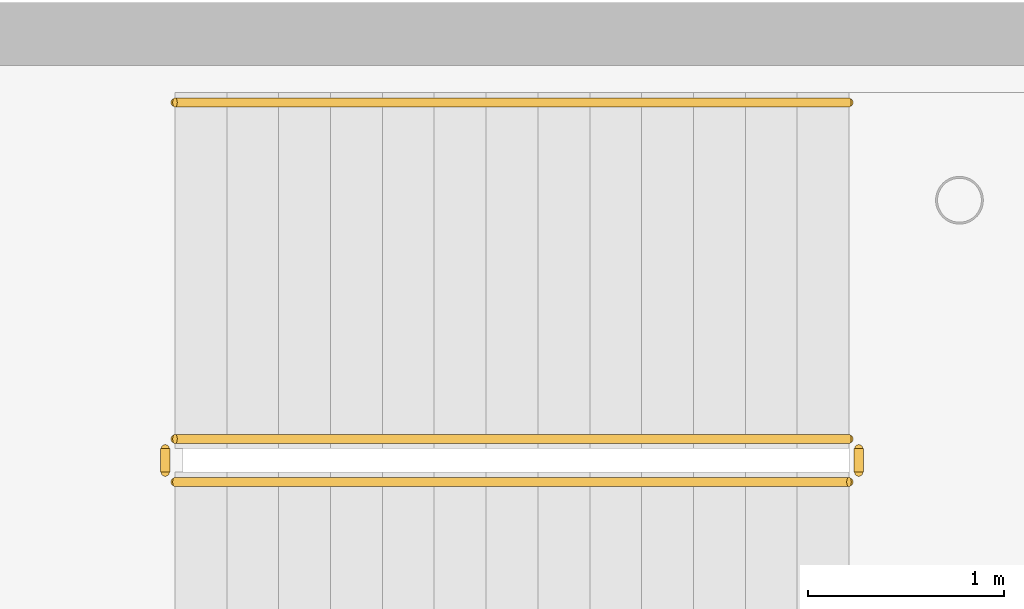
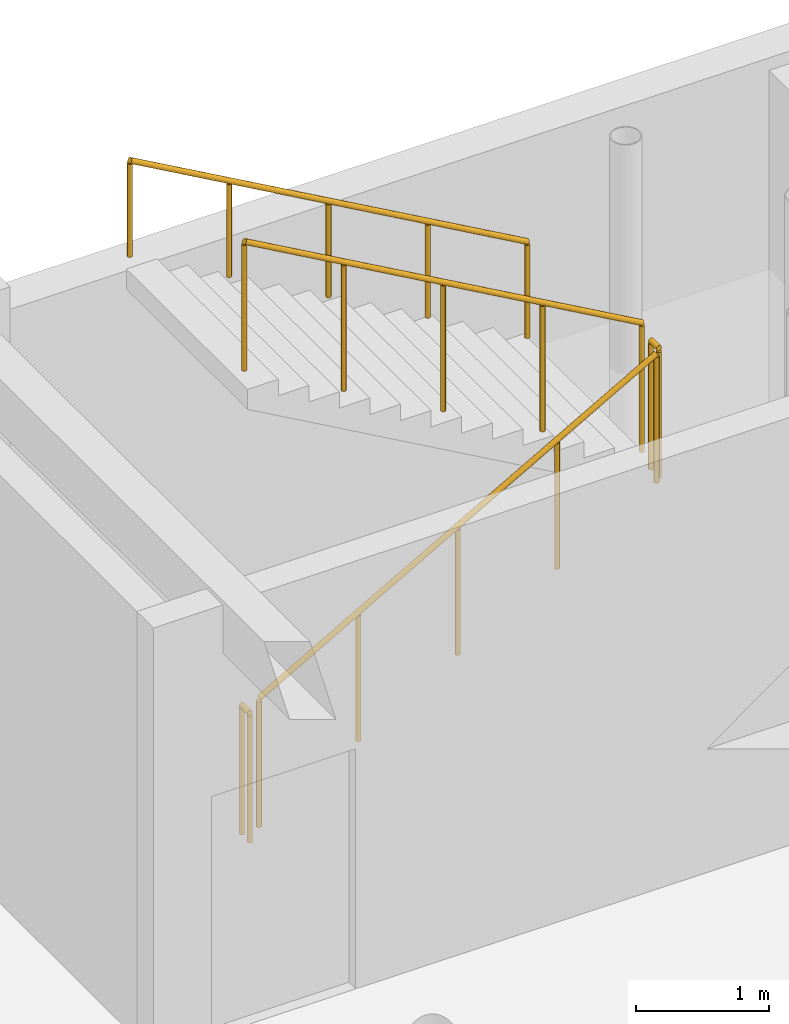
# One storey, part 121 of 121: 5 railings.
"""IFC4 building model written with IfcOpenShell, lengths in metres."""

from ifc_helpers import new_model, si_unit, direction, frame, origin, origin_2d, place, context, subcontext, project, spatial, circle, extrude, material, type_object, element, save


model = new_model("IFC4")

# Units and contexts
model_context = context("Model", 3, precision=1e-05, world=origin(), true_north=direction((0.0, 1.0)))
body_context = subcontext(model_context, "Body", "Model", "MODEL_VIEW")
ifc_project = project(units=[si_unit("LENGTHUNIT", "METRE"), si_unit("AREAUNIT", "SQUARE_METRE"), si_unit("VOLUMEUNIT", "CUBIC_METRE"), si_unit("PLANEANGLEUNIT", "RADIAN"), si_unit("MASSUNIT", "GRAM", prefix="KILO")], contexts=[model_context])

# Site, building, storey
site_placement = place(None, origin())
site = spatial("IfcSite", under=ifc_project, at=site_placement, CompositionType="ELEMENT")
building_placement = place(site_placement, origin())
building = spatial("IfcBuilding", under=site, at=building_placement, Name="Kharva Crest Polytechnic", CompositionType="ELEMENT")
storey_placement = place(building_placement, frame((0.0, 0.0, 13.199951171875)))
storey = spatial("IfcBuildingStorey", under=building, at=storey_placement, Name="L03", CompositionType="ELEMENT", Elevation=13.199951171875)

# Railings
ifc_material_1 = material(Name="Anodised aluminium", Category="aluminium")
railing_type_1 = type_object("IfcRailingType", Name="RL-STAIR-GUARD-1200", PredefinedType="GUARDRAIL", material=ifc_material_1)
railing_1_placement = place(storey_placement, frame((146.1298828125, 119.7099609375, 0.150146484375)))
element("IfcRailing", 1, at=railing_1_placement, inside=storey, type_object=railing_type_1, Name="L03 ST-09 stair guard 1", PredefinedType="GUARDRAIL", context=body_context, shape_type="SweptSolid", body=[
    extrude(circle(Radius=0.02392578125, at=origin_2d()), frame((0.0, 0.0, 1.17578125), z_axis=(0.870266332817, 0.0, 0.492581475459), x_axis=(0.0, 1.0, 0.0)), (0.0, 0.0, 1.0), 3.958740234375),
    extrude(circle(Radius=0.02099609375, at=origin_2d()), origin(), (0.0, 0.0, 1.0), 1.15185546875),
    extrude(circle(Radius=0.02099609375, at=origin_2d()), frame((0.861328125, 0.0, 0.487548828125)), (0.0, 0.0, 1.0), 1.15185546875),
    extrude(circle(Radius=0.02099609375, at=origin_2d()), frame((1.72265625, 0.0, 0.97509765625)), (0.0, 0.0, 1.0), 1.15185546875),
    extrude(circle(Radius=0.02099609375, at=origin_2d()), frame((2.583740234375, 0.0, 1.46240234375)), (0.0, 0.0, 1.0), 1.15185546875),
    extrude(circle(Radius=0.02099609375, at=origin_2d()), frame((3.445068359375, 0.0, 1.949951171875)), (0.0, 0.0, 1.0), 1.15185546875),
])
railing_2_placement = place(storey_placement, frame((149.625, 119.760009765625, 2.10009765625)))
element("IfcRailing", 2, at=railing_2_placement, inside=storey, type_object=railing_type_1, Name="L03 ST-09 stair guard 2", PredefinedType="GUARDRAIL", context=body_context, shape_type="SweptSolid", body=[
    extrude(circle(Radius=0.02392578125, at=origin_2d()), frame((0.0, 0.0, 1.17578125), z_axis=(0.0, 1.0, 0.0), x_axis=(-1.0, 0.0, 0.0)), (0.0, 0.0, 1.0), 0.119873046875),
    extrude(circle(Radius=0.02099609375, at=origin_2d()), origin(), (0.0, 0.0, 1.0), 1.15185546875),
    extrude(circle(Radius=0.02099609375, at=origin_2d()), frame((0.0, 0.119873046875, 0.0)), (0.0, 0.0, 1.0), 1.15185546875),
])
railing_3_placement = place(storey_placement, frame((149.574951171875, 119.929931640625, 2.25)))
element("IfcRailing", 3, at=railing_3_placement, inside=storey, type_object=railing_type_1, Name="L03 ST-09 stair guard 3", PredefinedType="GUARDRAIL", context=body_context, shape_type="SweptSolid", body=[
    extrude(circle(Radius=0.02392578125, at=origin_2d()), frame((0.0, 0.0, 1.17578125), z_axis=(-0.870266332817, 0.0, 0.492581475459), x_axis=(0.0, -1.0, 0.0)), (0.0, 0.0, 1.0), 3.958740234375),
    extrude(circle(Radius=0.02099609375, at=origin_2d()), origin(), (0.0, 0.0, 1.0), 1.15185546875),
    extrude(circle(Radius=0.02099609375, at=origin_2d()), frame((-0.861328125, 0.0, 0.487548828125)), (0.0, 0.0, 1.0), 1.15185546875),
    extrude(circle(Radius=0.02099609375, at=origin_2d()), frame((-1.72265625, 0.0, 0.97509765625)), (0.0, 0.0, 1.0), 1.15185546875),
    extrude(circle(Radius=0.02099609375, at=origin_2d()), frame((-2.583740234375, 0.0, 1.46240234375)), (0.0, 0.0, 1.0), 1.15185546875),
    extrude(circle(Radius=0.02099609375, at=origin_2d()), frame((-3.445068359375, 0.0, 1.949951171875)), (0.0, 0.0, 1.0), 1.15185546875),
])
railing_4_placement = place(storey_placement, frame((146.080078125, 119.760009765625, 0.0)))
element("IfcRailing", 4, at=railing_4_placement, inside=storey, type_object=railing_type_1, Name="L03 ST-09 stair guard 4", PredefinedType="GUARDRAIL", context=body_context, shape_type="SweptSolid", body=[
    extrude(circle(Radius=0.02392578125, at=origin_2d()), frame((0.0, 0.0, 1.17578125), z_axis=(0.0, 1.0, 0.0), x_axis=(-1.0, 0.0, 0.0)), (0.0, 0.0, 1.0), 0.119873046875),
    extrude(circle(Radius=0.02099609375, at=origin_2d()), origin(), (0.0, 0.0, 1.0), 1.15185546875),
    extrude(circle(Radius=0.02099609375, at=origin_2d()), frame((0.0, 0.119873046875, 0.0)), (0.0, 0.0, 1.0), 1.15185546875),
])
ifc_material_2 = material(Name="Teak timber", Category="wood")
railing_type_2 = type_object("IfcRailingType", Name="RL-STAIR-HAND-900", PredefinedType="HANDRAIL", material=ifc_material_2)
railing_5_placement = place(storey_placement, frame((149.574951171875, 121.64990234375, 2.25)))
element("IfcRailing", 5, at=railing_5_placement, inside=storey, type_object=railing_type_2, Name="L03 ST-09 stair handrail 2", PredefinedType="HANDRAIL", context=body_context, shape_type="SweptSolid", body=[
    extrude(circle(Radius=0.02392578125, at=origin_2d()), frame((0.0, 0.0, 0.8759765625), z_axis=(-0.870266332817, 0.0, 0.492581475459), x_axis=(0.0, -1.0, 0.0)), (0.0, 0.0, 1.0), 3.958740234375),
    extrude(circle(Radius=0.02099609375, at=origin_2d()), origin(), (0.0, 0.0, 1.0), 0.851806640625),
    extrude(circle(Radius=0.02099609375, at=origin_2d()), frame((-0.861328125, 0.0, 0.487548828125)), (0.0, 0.0, 1.0), 0.851806640625),
    extrude(circle(Radius=0.02099609375, at=origin_2d()), frame((-1.72265625, 0.0, 0.97509765625)), (0.0, 0.0, 1.0), 0.851806640625),
    extrude(circle(Radius=0.02099609375, at=origin_2d()), frame((-2.583740234375, 0.0, 1.46240234375)), (0.0, 0.0, 1.0), 0.851806640625),
    extrude(circle(Radius=0.02099609375, at=origin_2d()), frame((-3.445068359375, 0.0, 1.949951171875)), (0.0, 0.0, 1.0), 0.851806640625),
])

save(model, "model.ifc")
